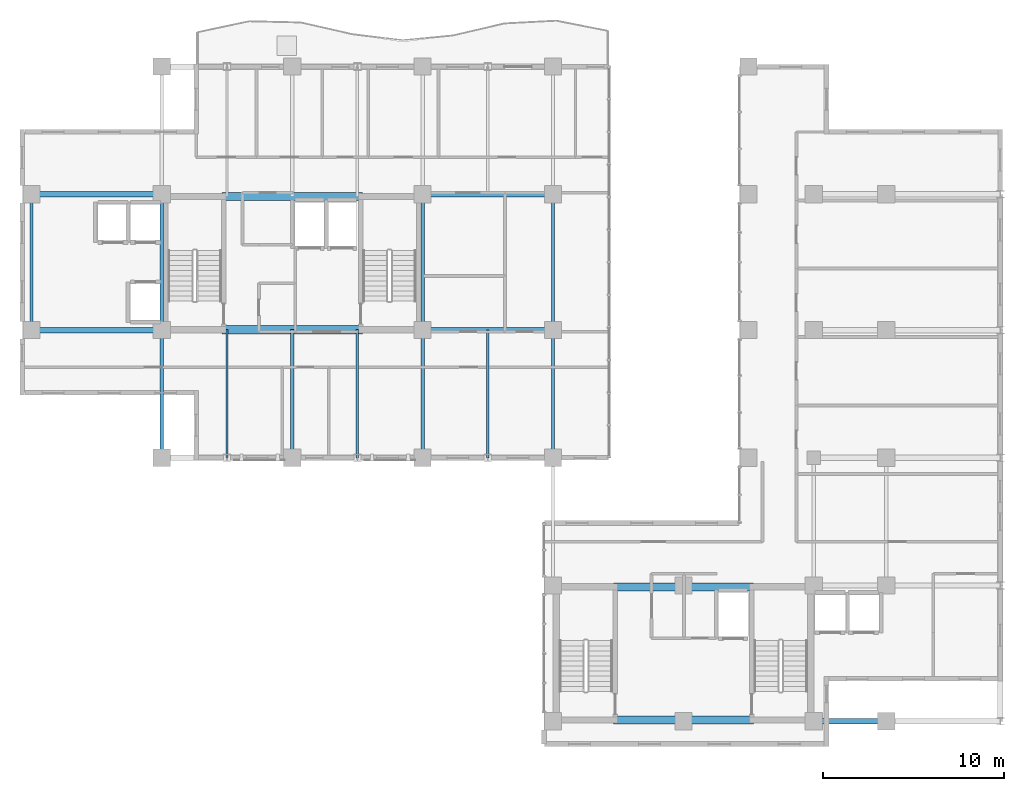
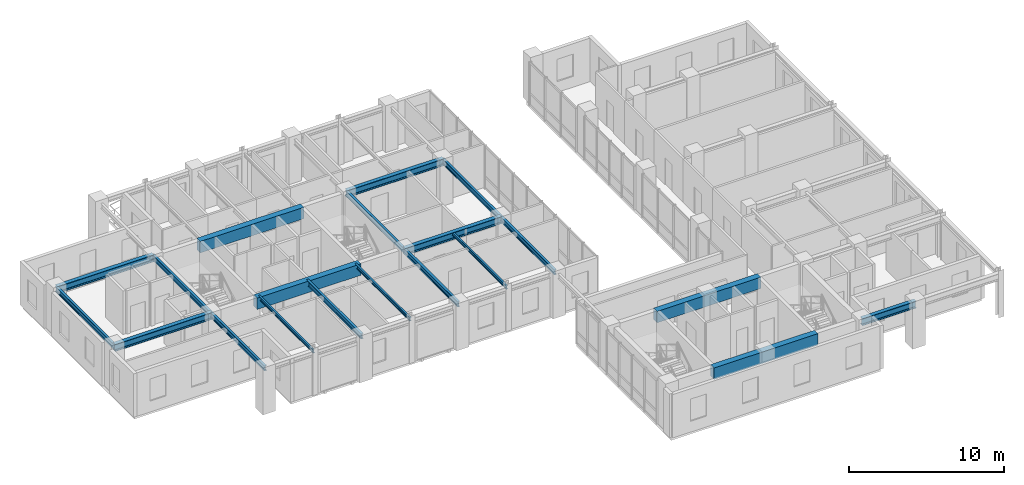
# One storey, part 6 of 24: 20 beams.
"""IFC4 building model written with IfcOpenShell, lengths in metres."""

from ifc_helpers import new_model, si_unit, direction, frame, origin, origin_2d, place, context, subcontext, project, spatial, rectangle, i_section, extrude, source, transform, mapped, material, material_profile, profile_set, type_object, element, save


model = new_model("IFC4")

# Units and contexts
model_context = context("Model", 3, precision=1e-05, world=origin(), true_north=direction((0.0, 1.0)))
body_context = subcontext(model_context, "Body", "Model", "MODEL_VIEW")
ifc_project = project(units=[si_unit("LENGTHUNIT", "METRE"), si_unit("AREAUNIT", "SQUARE_METRE"), si_unit("VOLUMEUNIT", "CUBIC_METRE"), si_unit("PLANEANGLEUNIT", "RADIAN"), si_unit("MASSUNIT", "GRAM", prefix="KILO")], contexts=[model_context])

# Site, building, storey
site_placement = place(None, origin())
site = spatial("IfcSite", under=ifc_project, at=site_placement, CompositionType="ELEMENT")
building_placement = place(site_placement, origin())
building = spatial("IfcBuilding", under=site, at=building_placement, Name="Kaliganga Portal Commons", CompositionType="ELEMENT")
storey_placement = place(building_placement, frame((0.0, 0.0, 242.5)))
storey = spatial("IfcBuildingStorey", under=building, at=storey_placement, Name="L62", CompositionType="ELEMENT", Elevation=242.5)

# Beams
ifc_material_1 = material(Name="Concrete C50/60", Category="concrete")
ifc_material_profile_1 = material_profile(ifc_material_1, rectangle(XDim=0.449951171875, YDim=0.89990234375, at=origin_2d()), Name="RC 450x900")
ifc_profile_set_1 = profile_set([ifc_material_profile_1], Name="Concrete C50/60")
beam_type_1 = type_object("IfcBeamType", Name="BM-CPL-900", PredefinedType="LINTEL", material=ifc_profile_set_1)
shared_shape_1 = source(origin(), body_context, "Body", "SweptSolid", [
    extrude(rectangle(XDim=0.449951171875, YDim=0.89990234375, at=origin_2d()), origin(), (0.0, 0.0, 1.0), 7.739990234375),
])
for number, where, z_axis, x_axis, name in (
    (1, (17.72998046875, 28.675048828125, 2.989990234375), (1.0, 0.0, 0.0), (0.0, 1.0, 0.0), "BM CPL COREA L62 S"),
    (2, (17.72998046875, 36.02490234375, 2.989990234375), (1.0, 0.0, 0.0), (0.0, 1.0, 0.0), "BM CPL COREA L62 N"),
    (3, (39.330078125, 7.125, 2.989990234375), (1.0, 0.0, 0.0), (0.0, 1.0, 0.0), "BM CPL COREB L62 S"),
    (4, (39.330078125, 14.47509765625, 2.989990234375), (1.0, 0.0, 0.0), (0.0, 1.0, 0.0), "BM CPL COREB L62 N"),
):
    element("IfcBeam", number, at=place(storey_placement, frame(where, z_axis=z_axis, x_axis=x_axis)), inside=storey, type_object=beam_type_1, Name=name, PredefinedType="LINTEL", context=body_context, shape_type="MappedRepresentation", body=[
        mapped(shared_shape_1, transform((0.0, 0.0, 0.0), x_axis=(1.0, 0.0, 0.0), y_axis=(0.0, 1.0, 0.0), z_axis=(0.0, 0.0, 1.0), scale=1.0)),
    ])
ifc_material_2 = material(Name="Structural steel S355J2", Category="steel")
ifc_material_profile_2 = material_profile(ifc_material_2, i_section(OverallWidth=0.300048828125, OverallDepth=0.550048828125, WebThickness=0.014892578125, FlangeThickness=0.029052734375, FilletRadius=0.027099609375, at=origin_2d()), Name="HE 550 B")
ifc_profile_set_2 = profile_set([ifc_material_profile_2], Name="Structural steel S355J2 wide-flange")
beam_type_2 = type_object("IfcBeamType", Name="BM-GIRD-550", PredefinedType="USERDEFINED", material=ifc_profile_set_2)
shared_shape_2 = source(origin(), body_context, "Body", "SweptSolid", [
    extrude(i_section(OverallWidth=0.300048828125, OverallDepth=0.550048828125, WebThickness=0.014892578125, FlangeThickness=0.029052734375, FilletRadius=0.027099609375, at=origin_2d()), origin(), (0.0, 0.0, 1.0), 7.199951171875),
])
for number, where, z_axis, x_axis, name in (
    (5, (7.199951171875, 28.64990234375, 3.1650390625), (1.0, 0.0, 0.0), (0.0, 1.0, 0.0), "BM G L62 WAH_S 1"),
    (6, (7.199951171875, 36.14990234375, 3.1650390625), (1.0, 0.0, 0.0), (0.0, 1.0, 0.0), "BM G L62 WAH_N 1"),
    (7, (28.800048828125, 28.64990234375, 3.1650390625), (1.0, 0.0, 0.0), (0.0, 1.0, 0.0), "BM G L62 WAE_S 1"),
    (8, (28.800048828125, 36.14990234375, 3.1650390625), (1.0, 0.0, 0.0), (0.0, 1.0, 0.0), "BM G L62 WAE_N 1"),
):
    element("IfcBeam", number, at=place(storey_placement, frame(where, z_axis=z_axis, x_axis=x_axis)), inside=storey, type_object=beam_type_2, Name=name, ObjectType="GIRDER", PredefinedType="USERDEFINED", context=body_context, shape_type="MappedRepresentation", body=[
        mapped(shared_shape_2, transform((0.0, 0.0, 0.0), x_axis=(1.0, 0.0, 0.0), y_axis=(0.0, 1.0, 0.0), z_axis=(0.0, 0.0, 1.0), scale=1.0)),
    ])
shared_shape_3 = source(origin(), body_context, "Body", "SweptSolid", [
    extrude(i_section(OverallWidth=0.300048828125, OverallDepth=0.550048828125, WebThickness=0.014892578125, FlangeThickness=0.029052734375, FilletRadius=0.027099609375, at=origin_2d()), origin(), (0.0, 0.0, 1.0), 4.0),
])
beam_1_placement = place(storey_placement, frame((50.39990234375, 7.050048828125, 3.1650390625), z_axis=(1.0, 0.0, 0.0), x_axis=(0.0, 1.0, 0.0)))
element("IfcBeam", 9, at=beam_1_placement, inside=storey, type_object=beam_type_2, Name="BM G L62 BKE70 1", ObjectType="GIRDER", PredefinedType="USERDEFINED", context=body_context, shape_type="MappedRepresentation", body=[
    mapped(shared_shape_3, transform((0.0, 0.0, 0.0), x_axis=(1.0, 0.0, 0.0), y_axis=(0.0, 1.0, 0.0), z_axis=(0.0, 0.0, 1.0), scale=1.0)),
])
ifc_material_profile_3 = material_profile(ifc_material_2, i_section(OverallWidth=0.135009765625, OverallDepth=0.27001953125, WebThickness=0.006591796875, FlangeThickness=0.01025390625, FilletRadius=0.014892578125, at=origin_2d()), Name="IPE 270")
ifc_profile_set_3 = profile_set([ifc_material_profile_3], Name="Structural steel S355J2 wide-flange")
beam_type_3 = type_object("IfcBeamType", Name="BM-JST-270", PredefinedType="JOIST", material=ifc_profile_set_3)
shared_shape_4 = source(origin(), body_context, "Body", "SweptSolid", [
    extrude(i_section(OverallWidth=0.135009765625, OverallDepth=0.27001953125, WebThickness=0.006591796875, FlangeThickness=0.01025390625, FilletRadius=0.014892578125, at=origin_2d()), origin(), (0.0, 0.0, 1.0), 7.074951171875),
])
for number, where, z_axis, x_axis, name in (
    (10, (18.0, 21.60009765625, 3.304931640625), (0.0, 1.0, 0.0), (-1.0, 0.0, 0.0), "BM G L62 AS180"),
    (11, (25.199951171875, 21.60009765625, 3.304931640625), (0.0, 1.0, 0.0), (-1.0, 0.0, 0.0), "BM G L62 AS252"),
):
    element("IfcBeam", number, at=place(storey_placement, frame(where, z_axis=z_axis, x_axis=x_axis)), inside=storey, type_object=beam_type_3, Name=name, PredefinedType="JOIST", context=body_context, shape_type="MappedRepresentation", body=[
        mapped(shared_shape_4, transform((0.0, 0.0, 0.0), x_axis=(1.0, 0.0, 0.0), y_axis=(0.0, 1.0, 0.0), z_axis=(0.0, 0.0, 1.0), scale=1.0)),
    ])
shared_shape_5 = source(origin(), body_context, "Body", "SweptSolid", [
    extrude(i_section(OverallWidth=0.135009765625, OverallDepth=0.27001953125, WebThickness=0.006591796875, FlangeThickness=0.01025390625, FilletRadius=0.014892578125, at=origin_2d()), origin(), (0.0, 0.0, 1.0), 7.0498046875),
])
beam_2_placement = place(storey_placement, frame((32.39990234375, 21.60009765625, 3.304931640625), z_axis=(0.0, 1.0, 0.0), x_axis=(-1.0, 0.0, 0.0)))
element("IfcBeam", 12, at=beam_2_placement, inside=storey, type_object=beam_type_3, Name="BM G L62 AS324", PredefinedType="JOIST", context=body_context, shape_type="MappedRepresentation", body=[
    mapped(shared_shape_5, transform((0.0, 0.0, 0.0), x_axis=(1.0, 0.0, 0.0), y_axis=(0.0, 1.0, 0.0), z_axis=(0.0, 0.0, 1.0), scale=1.0)),
])
ifc_material_profile_4 = material_profile(ifc_material_2, i_section(OverallWidth=0.179931640625, OverallDepth=0.39990234375, WebThickness=0.008544921875, FlangeThickness=0.013427734375, FilletRadius=0.02099609375, at=origin_2d()), Name="IPE 400")
ifc_profile_set_4 = profile_set([ifc_material_profile_4], Name="Structural steel S355J2 wide-flange")
beam_type_4 = type_object("IfcBeamType", Name="BM-FLR-400", PredefinedType="BEAM", material=ifc_profile_set_4)
shared_shape_6 = source(origin(), body_context, "Body", "SweptSolid", [
    extrude(i_section(OverallWidth=0.179931640625, OverallDepth=0.39990234375, WebThickness=0.008544921875, FlangeThickness=0.013427734375, FilletRadius=0.02099609375, at=origin_2d()), origin(), (0.0, 0.0, 1.0), 7.5),
])
for number, where, z_axis, x_axis, name in (
    (13, (7.199951171875, 28.64990234375, 3.239990234375), (0.0, 1.0, 0.0), (-1.0, 0.0, 0.0), "BM G L62 AW72"),
    (14, (14.39990234375, 28.64990234375, 3.239990234375), (0.0, 1.0, 0.0), (-1.0, 0.0, 0.0), "BM G L62 AM144"),
    (15, (28.800048828125, 28.64990234375, 3.239990234375), (0.0, 1.0, 0.0), (-1.0, 0.0, 0.0), "BM G L62 AM288"),
    (16, (36.0, 28.64990234375, 3.239990234375), (0.0, 1.0, 0.0), (-1.0, 0.0, 0.0), "BM G L62 AM360"),
):
    element("IfcBeam", number, at=place(storey_placement, frame(where, z_axis=z_axis, x_axis=x_axis)), inside=storey, type_object=beam_type_4, Name=name, PredefinedType="BEAM", context=body_context, shape_type="MappedRepresentation", body=[
        mapped(shared_shape_6, transform((0.0, 0.0, 0.0), x_axis=(1.0, 0.0, 0.0), y_axis=(0.0, 1.0, 0.0), z_axis=(0.0, 0.0, 1.0), scale=1.0)),
    ])
shared_shape_7 = source(origin(), body_context, "Body", "SweptSolid", [
    extrude(i_section(OverallWidth=0.179931640625, OverallDepth=0.39990234375, WebThickness=0.008544921875, FlangeThickness=0.013427734375, FilletRadius=0.02099609375, at=origin_2d()), origin(), (0.0, 0.0, 1.0), 7.0498046875),
])
for number, where, z_axis, x_axis, name in (
    (17, (14.39990234375, 21.60009765625, 3.239990234375), (0.0, 1.0, 0.0), (-1.0, 0.0, 0.0), "BM G L62 AS144"),
    (18, (28.800048828125, 21.60009765625, 3.239990234375), (0.0, 1.0, 0.0), (-1.0, 0.0, 0.0), "BM G L62 AS288"),
    (19, (36.0, 21.60009765625, 3.239990234375), (0.0, 1.0, 0.0), (-1.0, 0.0, 0.0), "BM G L62 AS360"),
):
    element("IfcBeam", number, at=place(storey_placement, frame(where, z_axis=z_axis, x_axis=x_axis)), inside=storey, type_object=beam_type_4, Name=name, PredefinedType="BEAM", context=body_context, shape_type="MappedRepresentation", body=[
        mapped(shared_shape_7, transform((0.0, 0.0, 0.0), x_axis=(1.0, 0.0, 0.0), y_axis=(0.0, 1.0, 0.0), z_axis=(0.0, 0.0, 1.0), scale=1.0)),
    ])
shared_shape_8 = source(origin(), body_context, "Body", "SweptSolid", [
    extrude(i_section(OverallWidth=0.179931640625, OverallDepth=0.39990234375, WebThickness=0.008544921875, FlangeThickness=0.013427734375, FilletRadius=0.02099609375, at=origin_2d()), origin(), (0.0, 0.0, 1.0), 7.074951171875),
])
beam_3_placement = place(storey_placement, frame((21.60009765625, 21.60009765625, 3.239990234375), z_axis=(0.0, 1.0, 0.0), x_axis=(-1.0, 0.0, 0.0)))
element("IfcBeam", 20, at=beam_3_placement, inside=storey, type_object=beam_type_4, Name="BM G L62 AS216", PredefinedType="BEAM", context=body_context, shape_type="MappedRepresentation", body=[
    mapped(shared_shape_8, transform((0.0, 0.0, 0.0), x_axis=(1.0, 0.0, 0.0), y_axis=(0.0, 1.0, 0.0), z_axis=(0.0, 0.0, 1.0), scale=1.0)),
])

save(model, "model.ifc")
